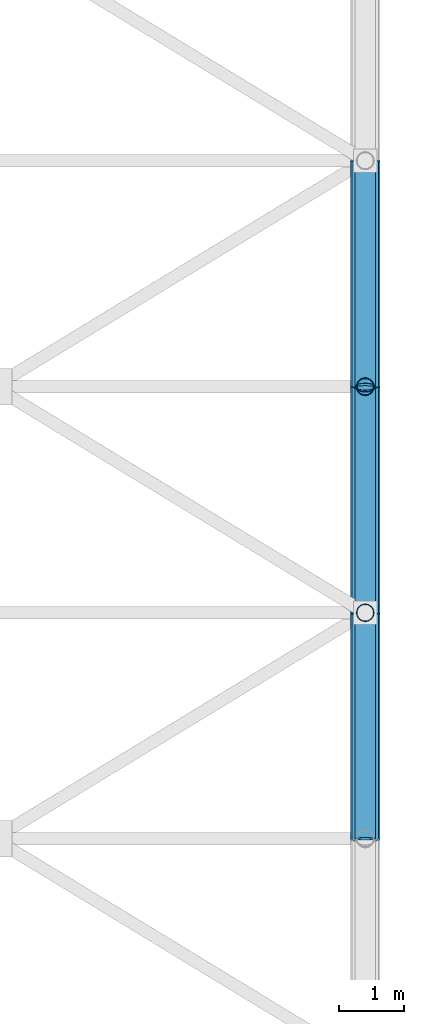
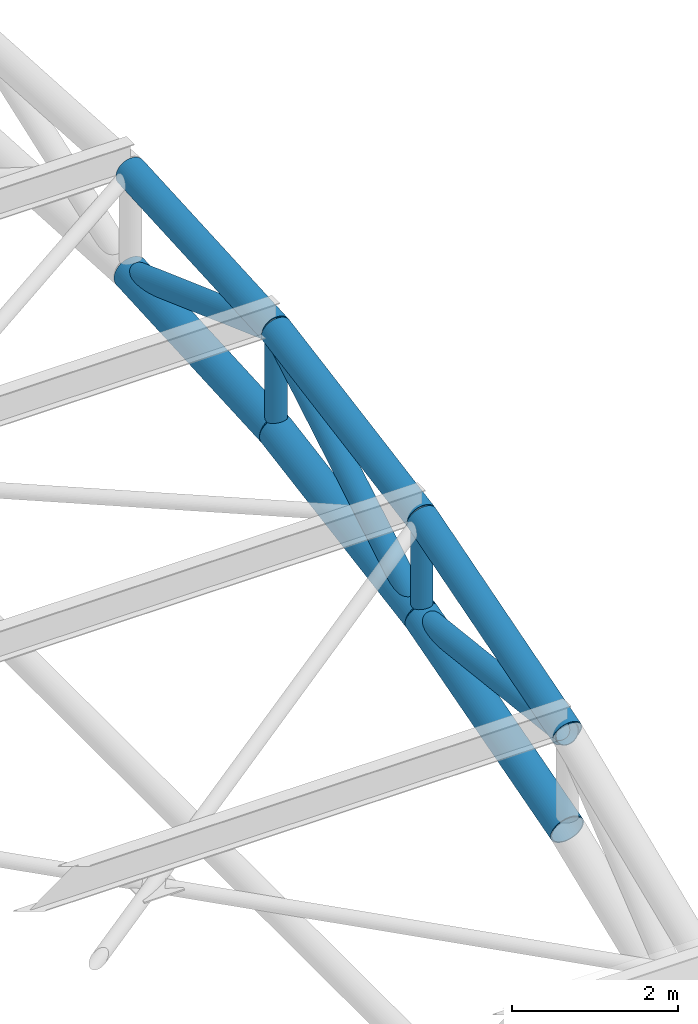
# One storey, part 104 of 154: 11 members.
"""IFC4 building model written with IfcOpenShell, lengths in metres."""

from ifc_helpers import new_model, si_unit, direction, frame, origin, origin_2d, place, context, subcontext, project, spatial, hollow_circle, extrude, material, material_profile, profile_set, type_object, element, save


model = new_model("IFC4")

# Units and contexts
model_context = context("Model", 3, precision=1e-05, world=origin(), true_north=direction((0.0, 1.0)))
body_context = subcontext(model_context, "Body", "Model", "MODEL_VIEW")
ifc_project = project(units=[si_unit("LENGTHUNIT", "METRE"), si_unit("AREAUNIT", "SQUARE_METRE"), si_unit("VOLUMEUNIT", "CUBIC_METRE"), si_unit("PLANEANGLEUNIT", "RADIAN"), si_unit("MASSUNIT", "GRAM", prefix="KILO")], contexts=[model_context])

# Site, building, storey
site_placement = place(None, origin())
site = spatial("IfcSite", under=ifc_project, at=site_placement, CompositionType="ELEMENT")
building_placement = place(site_placement, origin())
building = spatial("IfcBuilding", under=site, at=building_placement, Name="Ologun Quay Terminus", CompositionType="ELEMENT")
storey_placement = place(building_placement, frame((0.0, 0.0, 13.800048828125)))
storey = spatial("IfcBuildingStorey", under=building, at=storey_placement, Name="L03", CompositionType="ELEMENT", Elevation=13.800048828125)

# Members
ifc_material_1 = material(Name="Steel S355", Category="steel")
ifc_material_profile_1 = material_profile(ifc_material_1, hollow_circle(Radius=0.136474609375, WallThickness=0.010009765625, at=origin_2d()), Name="CHS 273x10")
ifc_profile_set_1 = profile_set([ifc_material_profile_1], Name="Steel S355")
member_type_1 = type_object("IfcMemberType", Name="Arch Truss Vertical Post CHS273", PredefinedType="STRUT", material=ifc_profile_set_1)
member_1_placement = place(storey_placement, frame((184.0, 50.0, 6.435546875), z_axis=(0.0, 0.0, 1.0), x_axis=(1.0, 0.0, 0.0)))
element("IfcMember", 1, at=member_1_placement, inside=storey, type_object=member_type_1, Name="AW2 Arch Web Post 17-N4", PredefinedType="STRUT", context=body_context, shape_type="SweptSolid", body=[
    extrude(hollow_circle(Radius=0.136474609375, WallThickness=0.010009765625, at=origin_2d()), origin(), (0.0, 0.0, 1.0), 1.44873046875),
])
member_2_placement = place(storey_placement, frame((184.0, 53.5, 7.038818359375), z_axis=(0.0, 0.0, 1.0), x_axis=(1.0, 0.0, 0.0)))
element("IfcMember", 2, at=member_2_placement, inside=storey, type_object=member_type_1, Name="AW2 Arch Web Post 17-N5", PredefinedType="STRUT", context=body_context, shape_type="SweptSolid", body=[
    extrude(hollow_circle(Radius=0.136474609375, WallThickness=0.010009765625, at=origin_2d()), origin(), (0.0, 0.0, 1.0), 1.47216796875),
])
ifc_material_2 = material(Name="Steel S355", Category="steel")
ifc_material_profile_2 = material_profile(ifc_material_2, hollow_circle(Radius=0.161865234375, WallThickness=0.010009765625, at=origin_2d()), Name="CHS 323.9x10")
ifc_profile_set_2 = profile_set([ifc_material_profile_2], Name="Steel S355")
member_type_2 = type_object("IfcMemberType", Name="Arch Truss Web Diagonal CHS323", PredefinedType="BRACE", material=ifc_profile_set_2)
member_3_placement = place(storey_placement, frame((184.0, 46.5, 6.83984375), z_axis=(0.0, 0.993394361, -0.114750353084), x_axis=(-1.0, 0.0, 0.0)))
element("IfcMember", 3, at=member_3_placement, inside=storey, type_object=member_type_2, Name="AW1 Arch Web Diagonal 17-P4", PredefinedType="BRACE", context=body_context, shape_type="SweptSolid", body=[
    extrude(hollow_circle(Radius=0.161865234375, WallThickness=0.010009765625, at=origin_2d()), origin(), (0.0, 0.0, 1.0), 3.523193359375),
])
member_4_placement = place(storey_placement, frame((184.0, 50.0, 6.435546875), z_axis=(0.0, 0.860144332958, 0.510050709715), x_axis=(-1.0, 0.0, 0.0)))
element("IfcMember", 4, at=member_4_placement, inside=storey, type_object=member_type_2, Name="AW1 Arch Web Diagonal 17-P5", PredefinedType="BRACE", context=body_context, shape_type="SweptSolid", body=[
    extrude(hollow_circle(Radius=0.161865234375, WallThickness=0.010009765625, at=origin_2d()), origin(), (0.0, 0.0, 1.0), 4.069091796875),
])
member_5_placement = place(storey_placement, frame((184.0, 53.5, 8.510986328125), z_axis=(0.0, 0.939942650142, -0.34133241048), x_axis=(-1.0, 0.0, 0.0)))
element("IfcMember", 5, at=member_5_placement, inside=storey, type_object=member_type_2, Name="AW1 Arch Web Diagonal 17-P6", PredefinedType="BRACE", context=body_context, shape_type="SweptSolid", body=[
    extrude(hollow_circle(Radius=0.161865234375, WallThickness=0.010009765625, at=origin_2d()), origin(), (0.0, 0.0, 1.0), 3.7236328125),
])
ifc_material_3 = material(Name="Steel S355", Category="steel")
ifc_material_profile_3 = material_profile(ifc_material_3, hollow_circle(Radius=0.203125, WallThickness=0.012451171875, at=origin_2d()), Name="CHS 406.4x12.5")
ifc_profile_set_3 = profile_set([ifc_material_profile_3], Name="Steel S355")
member_type_3 = type_object("IfcMemberType", Name="Gable End Arch Chord CHS406", PredefinedType="CHORD", material=ifc_profile_set_3)
member_6_placement = place(storey_placement, frame((184.0, 46.5, 6.83984375), z_axis=(0.0, 0.958244712677, 0.285949419701), x_axis=(-1.0, 0.0, 0.0)))
element("IfcMember", 6, at=member_6_placement, inside=storey, type_object=member_type_3, Name="Arch Top Chord 17-P4", PredefinedType="CHORD", context=body_context, shape_type="SweptSolid", body=[
    extrude(hollow_circle(Radius=0.203125, WallThickness=0.012451171875, at=origin_2d()), origin(), (0.0, 0.0, 1.0), 3.652587890625),
])
member_7_placement = place(storey_placement, frame((184.0, 50.0, 7.88427734375), z_axis=(0.0, 0.984344289591, 0.176256402859), x_axis=(-1.0, 0.0, 0.0)))
element("IfcMember", 7, at=member_7_placement, inside=storey, type_object=member_type_3, Name="Arch Top Chord 17-P5", PredefinedType="CHORD", context=body_context, shape_type="SweptSolid", body=[
    extrude(hollow_circle(Radius=0.203125, WallThickness=0.012451171875, at=origin_2d()), origin(), (0.0, 0.0, 1.0), 3.5556640625),
])
member_8_placement = place(storey_placement, frame((184.0, 53.5, 8.510986328125), z_axis=(0.0, 0.998222121157, 0.0596036646), x_axis=(-1.0, 0.0, 0.0)))
element("IfcMember", 8, at=member_8_placement, inside=storey, type_object=member_type_3, Name="Arch Top Chord 17-P6", PredefinedType="CHORD", context=body_context, shape_type="SweptSolid", body=[
    extrude(hollow_circle(Radius=0.203125, WallThickness=0.012451171875, at=origin_2d()), origin(), (0.0, 0.0, 1.0), 3.50634765625),
])
ifc_material_4 = material(Name="Steel S355", Category="steel")
ifc_material_profile_4 = material_profile(ifc_material_4, hollow_circle(Radius=0.228515625, WallThickness=0.01611328125, at=origin_2d()), Name="CHS 457x16")
ifc_profile_set_4 = profile_set([ifc_material_profile_4], Name="Steel S355")
member_type_4 = type_object("IfcMemberType", Name="Parabolic Arch Bottom Chord CHS457", PredefinedType="CHORD", material=ifc_profile_set_4)
member_9_placement = place(storey_placement, frame((184.0, 46.5, 5.429931640625), z_axis=(0.0, 0.961115578425, 0.276146419331), x_axis=(-1.0, 0.0, 0.0)))
element("IfcMember", 9, at=member_9_placement, inside=storey, type_object=member_type_4, Name="AC2 Arch Bottom Chord 17-P4", PredefinedType="CHORD", context=body_context, shape_type="SweptSolid", body=[
    extrude(hollow_circle(Radius=0.228515625, WallThickness=0.01611328125, at=origin_2d()), origin(), (0.0, 0.0, 1.0), 3.6416015625),
])
member_10_placement = place(storey_placement, frame((184.0, 50.0, 6.435546875), z_axis=(0.0, 0.985468449185, 0.16985857547), x_axis=(-1.0, 0.0, 0.0)))
element("IfcMember", 10, at=member_10_placement, inside=storey, type_object=member_type_4, Name="AC2 Arch Bottom Chord 17-P5", PredefinedType="CHORD", context=body_context, shape_type="SweptSolid", body=[
    extrude(hollow_circle(Radius=0.228515625, WallThickness=0.01611328125, at=origin_2d()), origin(), (0.0, 0.0, 1.0), 3.551513671875),
])
member_11_placement = place(storey_placement, frame((184.0, 53.5, 7.038818359375), z_axis=(0.0, 0.998352239869, 0.057382969144), x_axis=(-1.0, 0.0, 0.0)))
element("IfcMember", 11, at=member_11_placement, inside=storey, type_object=member_type_4, Name="AC2 Arch Bottom Chord 17-P6", PredefinedType="CHORD", context=body_context, shape_type="SweptSolid", body=[
    extrude(hollow_circle(Radius=0.228515625, WallThickness=0.01611328125, at=origin_2d()), origin(), (0.0, 0.0, 1.0), 3.505859375),
])

save(model, "model.ifc")
